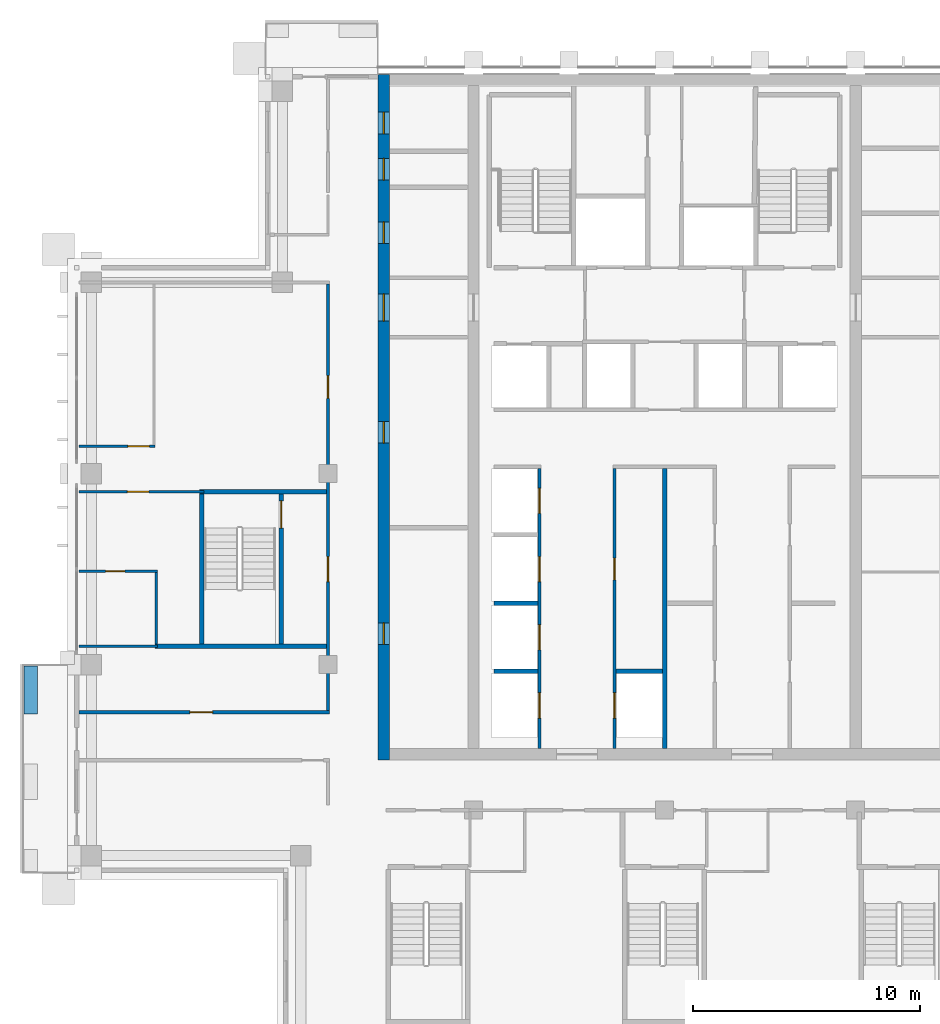
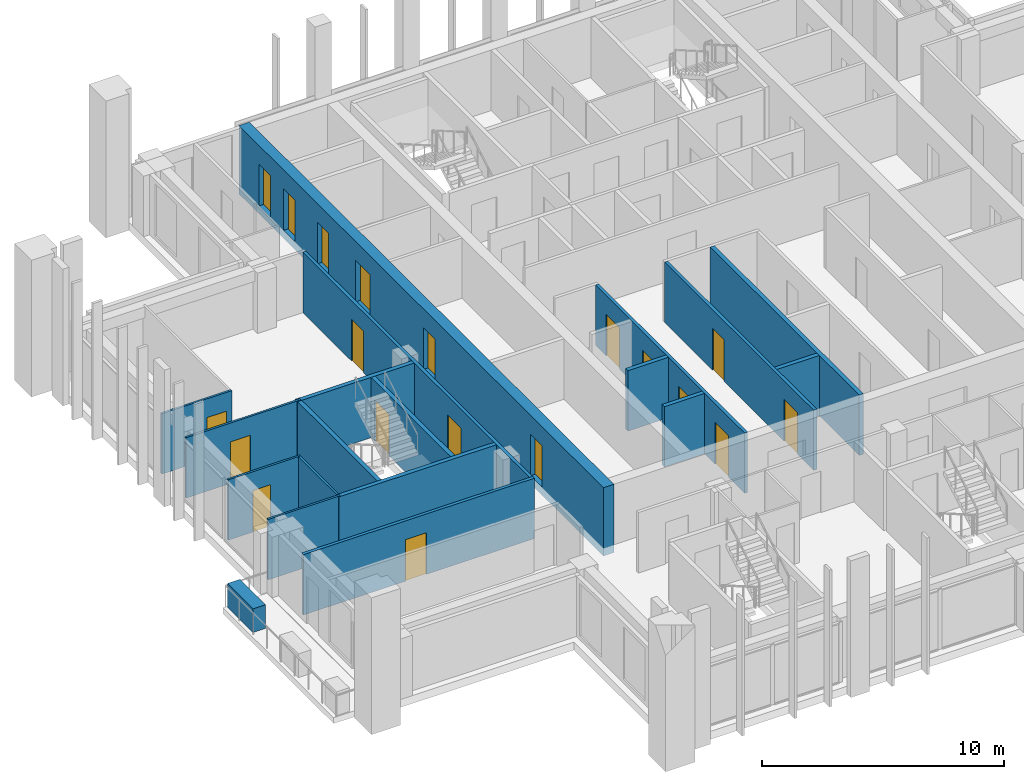
# One storey, part 9 of 18: 19 doors, 19 walls, 19 openings.
"""IFC4 building model written with IfcOpenShell, lengths in metres."""

import ifcopenshell
import ifcopenshell.guid

model = None  # the IFC model being written
_history = None  # IfcOwnerHistory: only IFC2X3 demands one
_inside = {}  # id of a spatial element -> (the spatial element, [elements in it])
_under = {}  # id of a project, library or spatial element -> (it, [spatial elements below it])
_declared = {}  # id of a project -> (the project, [libraries it declares])
_typed = {}  # id of a type object -> (the type object, [elements of that type])
_made_of = {}  # id of a material, layer set ... -> (it, [elements and type objects made of it])


def new_model(schema):
    """Start an empty IFC model of exactly this schema.

    Asked for "IFC4X3", IfcOpenShell would pick the latest addendum, in which some entities
    have other attributes; the version numbers below select the first issue.
    IFC2X3 requires an IfcOwnerHistory on every rooted entity: one is made here for all.
    """
    global model, _history
    if schema == "IFC4X3":
        model = ifcopenshell.file(schema_version=(4, 3, 0, 0))
    else:
        model = ifcopenshell.file(schema=schema)
    _inside.clear()
    _under.clear()
    _declared.clear()
    _typed.clear()
    _made_of.clear()
    _history = None
    if model.schema == "IFC2X3":
        org = make("IfcOrganization", Name="unknown")
        user = make(
            "IfcPersonAndOrganization",
            ThePerson=make("IfcPerson", FamilyName="unknown"),
            TheOrganization=org,
        )
        app = make(
            "IfcApplication",
            ApplicationDeveloper=org,
            Version="unknown",
            ApplicationFullName="unknown",
            ApplicationIdentifier="unknown",
        )
        _history = make(
            "IfcOwnerHistory",
            OwningUser=user,
            OwningApplication=app,
            ChangeAction="ADDED",
            CreationDate=0,
        )
    return model


def make(cls, **values):
    """One entity of the class cls with the attributes given. An attribute that is None is left unset."""
    return model.create_entity(
        cls, **{name: value for name, value in values.items() if value is not None}
    )


def rooted(cls, **values):
    """An entity with a GlobalId (a new one), such as an element, a storey or a relation."""
    return make(cls, GlobalId=ifcopenshell.guid.new(), OwnerHistory=_history, **values)


def si_unit(unit_type, name, prefix=None):
    """IfcSIUnit, for example si_unit("LENGTHUNIT", "METRE", prefix="MILLI")."""
    return make("IfcSIUnit", UnitType=unit_type, Prefix=prefix, Name=name)


def assignment(units):
    """IfcUnitAssignment: the units of a project."""
    return None if units is None else make("IfcUnitAssignment", Units=units)


def point(xyz):
    """IfcCartesianPoint."""
    return None if xyz is None else make("IfcCartesianPoint", Coordinates=xyz)


def direction(xyz):
    """IfcDirection."""
    return None if xyz is None else make("IfcDirection", DirectionRatios=xyz)


def frame(location, z_axis=None, x_axis=None):
    """IfcAxis2Placement3D, a coordinate frame: its origin and axes. An axis left out is left unset."""
    return make(
        "IfcAxis2Placement3D",
        Location=point(location),
        Axis=direction(z_axis),
        RefDirection=direction(x_axis),
    )


def frame_2d(location, x_axis=None):
    """IfcAxis2Placement2D, a coordinate frame in the plane: its origin and x axis."""
    return make(
        "IfcAxis2Placement2D", Location=point(location), RefDirection=direction(x_axis)
    )


def origin():
    """The frame at (0, 0, 0) with its axes left unset."""
    return frame((0.0, 0.0, 0.0))


def place(relative_to, where):
    """IfcLocalPlacement: puts the frame where relative to a parent placement (None: the world)."""
    return make(
        "IfcLocalPlacement", PlacementRelTo=relative_to, RelativePlacement=where
    )


def context(
    kind, dimensions, precision=None, world=None, true_north=None, identifier=None
):
    """IfcGeometricRepresentationContext, for example the 3D "Model" context."""
    return make(
        "IfcGeometricRepresentationContext",
        ContextIdentifier=identifier,
        ContextType=kind,
        CoordinateSpaceDimension=dimensions,
        Precision=precision,
        WorldCoordinateSystem=world,
        TrueNorth=true_north,
    )


def subcontext(parent, identifier, kind, view, scale=None):
    """IfcGeometricRepresentationSubContext, for example "Body" below "Model"."""
    return make(
        "IfcGeometricRepresentationSubContext",
        ContextIdentifier=identifier,
        ContextType=kind,
        ParentContext=parent,
        TargetScale=scale,
        TargetView=view,
    )


def project(units=None, contexts=None):
    """IfcProject with its units and contexts."""
    return rooted(
        "IfcProject",
        Name="project",
        RepresentationContexts=contexts,
        UnitsInContext=assignment(units),
    )


def spatial(cls, under=None, at=None, **own):
    """A site, building, storey or space (cls), placed at a placement, below another one or the project."""
    s = rooted(cls, ObjectPlacement=at, **own)
    if under is not None:
        _under.setdefault(under.id(), (under, []))[1].append(s)
    return s


def profile(cls, at=None, kind="AREA", **sizes):
    """A parametric profile (cls). Its sizes go by their IFC names, for example OverallWidth=200.0."""
    return make(cls, ProfileType=kind, Position=at, **sizes)


def rectangle(**sizes):
    """IfcRectangleProfileDef."""
    return profile("IfcRectangleProfileDef", **sizes)


def extrude(swept, where, along, depth):
    """IfcExtrudedAreaSolid: the profile swept, set in the frame where, extruded along a direction by depth."""
    return make(
        "IfcExtrudedAreaSolid",
        SweptArea=swept,
        Position=where,
        ExtrudedDirection=direction(along),
        Depth=depth,
    )


def shape(context_of_items, identifier, shape_type, items):
    """IfcShapeRepresentation: the items that make up one representation, for example the "Body"."""
    return make(
        "IfcShapeRepresentation",
        ContextOfItems=context_of_items,
        RepresentationIdentifier=identifier,
        RepresentationType=shape_type,
        Items=items,
    )


def material(Name=None, Category=None):
    """IfcMaterial."""
    return make("IfcMaterial", Name=Name, Category=Category)


def layer(
    of_material, thickness, ventilated=None, Name=None, Category=None, Priority=None
):
    """IfcMaterialLayer: one layer of a wall or slab, of a material (None: an air gap)."""
    return make(
        "IfcMaterialLayer",
        Material=of_material,
        LayerThickness=thickness,
        IsVentilated=ventilated,
        Name=Name,
        Category=Category,
        Priority=Priority,
    )


def layer_set(layers, Name=None):
    """IfcMaterialLayerSet."""
    return make("IfcMaterialLayerSet", MaterialLayers=layers, LayerSetName=Name)


def made_of(thing, what):
    """Note that an element or type object is made of a material, layer set ...; save() writes the relation."""
    if what is not None:
        _made_of.setdefault(what.id(), (what, []))[1].append(thing)
    return thing


def type_object(cls, material=None, **own):
    """A type object (cls), such as IfcWallType, which elements share."""
    return made_of(rooted(cls, **own), material)


def element(
    cls,
    number,
    at=None,
    inside=None,
    cuts=None,
    type_object=None,
    material=None,
    context=None,
    identifier="Body",
    shape_type=None,
    held_by="IfcProductDefinitionShape",
    body=None,
    shapes=None,
    **own,
):
    """One element of the class cls, such as IfcWall. Its Tag is "e" and its number.

    at: its placement. inside: the storey or other place that contains it. cuts: it is an
    opening in that element (IfcRelVoidsElement). A single representation is given by context,
    identifier, shape_type and body (its items); several are given by shapes. held_by: the class
    of the entity that holds the representations. save() writes the other relations.
    """
    e = rooted(cls, Tag="e%d" % number, ObjectPlacement=at, **own)
    if body is not None:
        shapes = [shape(context, identifier, shape_type, body)]
    if shapes is not None:
        e.Representation = make(held_by, Representations=shapes)
    if inside is not None:
        _inside.setdefault(inside.id(), (inside, []))[1].append(e)
    if cuts is not None:
        rooted(
            "IfcRelVoidsElement", RelatingBuildingElement=cuts, RelatedOpeningElement=e
        )
    if type_object is not None:
        _typed.setdefault(type_object.id(), (type_object, []))[1].append(e)
    return made_of(e, material)


def fill(opening, filler):
    """IfcRelFillsElement: the door or window that sits in an opening."""
    return rooted(
        "IfcRelFillsElement",
        RelatingOpeningElement=opening,
        RelatedBuildingElement=filler,
    )


def aggregate(whole, parts):
    """IfcRelAggregates: a whole, such as a stair, and the parts it consists of."""
    return rooted("IfcRelAggregates", RelatingObject=whole, RelatedObjects=parts)


def save(model, path):
    """Write the relations noted so far, then the file.

    IfcRelAggregates (storeys below a building ...), IfcRelContainedInSpatialStructure (elements
    in a storey), IfcRelDefinesByType, IfcRelAssociatesMaterial and IfcRelDeclares: one each for
    every whole, place, type object, material and project.
    """
    for whole, parts in _under.values():
        aggregate(whole, parts)
    for where, things in _inside.values():
        rooted(
            "IfcRelContainedInSpatialStructure",
            RelatedElements=things,
            RelatingStructure=where,
        )
    for kind, things in _typed.values():
        rooted("IfcRelDefinesByType", RelatedObjects=things, RelatingType=kind)
    for what, things in _made_of.values():
        rooted("IfcRelAssociatesMaterial", RelatedObjects=things, RelatingMaterial=what)
    for by, libraries in _declared.values():
        rooted("IfcRelDeclares", RelatingContext=by, RelatedDefinitions=libraries)
    model.write(path)


model = new_model("IFC4")

# Units and contexts
model_context = context("Model", 3, precision=1e-05, world=origin(), true_north=direction((0.0, 1.0)))
body_context = subcontext(model_context, "Body", "Model", "MODEL_VIEW")
ifc_project = project(units=[si_unit("LENGTHUNIT", "METRE"), si_unit("AREAUNIT", "SQUARE_METRE"), si_unit("VOLUMEUNIT", "CUBIC_METRE"), si_unit("PLANEANGLEUNIT", "RADIAN"), si_unit("MASSUNIT", "GRAM", prefix="KILO")], contexts=[model_context])

# Site, building, storey
site_placement = place(None, origin())
site = spatial("IfcSite", under=ifc_project, at=site_placement, CompositionType="ELEMENT")
building_placement = place(site_placement, origin())
building = spatial("IfcBuilding", under=site, at=building_placement, Name="Vermilion Ogive Tower", CompositionType="ELEMENT")
storey_placement = place(building_placement, frame((0.0, 0.0, 254.5)))
storey = spatial("IfcBuildingStorey", under=building, at=storey_placement, Name="L67", CompositionType="ELEMENT", Elevation=254.5)

# Wall, openings, doors
ifc_material_1 = material(Name="Concrete B60", Category="concrete")
ifc_layer_1 = layer(ifc_material_1, 0.5)
ifc_layer_set_1 = layer_set([ifc_layer_1], Name="Core wall 500 B60")
wall_type_1 = type_object("IfcWallType", Name="Core wall 500 B60", PredefinedType="SHEAR", material=ifc_layer_set_1)
wall_1_placement = place(storey_placement, frame((-12.35009765625, -8.39990234375, -0.39990234375), z_axis=(0.0, 0.0, 1.0), x_axis=(0.0, 1.0, 0.0)))
wall_1 = element("IfcWall", 1, at=wall_1_placement, inside=storey, type_object=wall_type_1, Name="L67-CORE-W", PredefinedType="SHEAR", context=body_context, shape_type="SweptSolid", body=[
    extrude(rectangle(XDim=30.14990234375, YDim=0.5, at=frame_2d((15.074951171875, 0.0))), origin(), (0.0, 0.0, 1.0), 3.449951171875),
])
opening_1_placement = place(wall_1_placement, frame((5.0830078125, 0.0, 0.39990234375)))
opening_1 = element("IfcOpeningElement", 2, at=opening_1_placement, cuts=wall_1, Name="Opening DAD122", PredefinedType="OPENING", context=body_context, shape_type="SweptSolid", body=[
    extrude(rectangle(XDim=0.949951171875, YDim=2.10009765625, at=frame_2d((0.47509765625, 1.050048828125))), frame((0.0, 0.260009765625, 0.0), z_axis=(0.0, -1.0, 0.0), x_axis=(1.0, 0.0, 0.0)), (0.0, 0.0, 1.0), 0.52001953125),
])
opening_2_placement = place(wall_1_placement, frame((13.932861328125, 0.0, 0.39990234375)))
opening_2 = element("IfcOpeningElement", 3, at=opening_2_placement, cuts=wall_1, Name="Opening DAD123", PredefinedType="OPENING", context=body_context, shape_type="SweptSolid", body=[
    extrude(rectangle(XDim=0.949951171875, YDim=2.10009765625, at=frame_2d((0.47509765625, 1.050048828125))), frame((0.0, 0.260009765625, 0.0), z_axis=(0.0, -1.0, 0.0), x_axis=(1.0, 0.0, 0.0)), (0.0, 0.0, 1.0), 0.52001953125),
])
opening_3_placement = place(wall_1_placement, frame((22.718994140625, 0.0, 0.39990234375)))
opening_3 = element("IfcOpeningElement", 4, at=opening_3_placement, cuts=wall_1, Name="Opening DAD124", PredefinedType="OPENING", context=body_context, shape_type="SweptSolid", body=[
    extrude(rectangle(XDim=0.949951171875, YDim=2.10009765625, at=frame_2d((0.47509765625, 1.050048828125))), frame((0.0, 0.260009765625, 0.0), z_axis=(0.0, -1.0, 0.0), x_axis=(1.0, 0.0, 0.0)), (0.0, 0.0, 1.0), 0.52001953125),
])
opening_4_placement = place(wall_1_placement, frame((25.505615234375, 0.0, 0.39990234375)))
opening_4 = element("IfcOpeningElement", 5, at=opening_4_placement, cuts=wall_1, Name="Opening DAD125", PredefinedType="OPENING", context=body_context, shape_type="SweptSolid", body=[
    extrude(rectangle(XDim=0.949951171875, YDim=2.10009765625, at=frame_2d((0.47509765625, 1.050048828125))), frame((0.0, 0.260009765625, 0.0), z_axis=(0.0, -1.0, 0.0), x_axis=(1.0, 0.0, 0.0)), (0.0, 0.0, 1.0), 0.52001953125),
])
opening_5_placement = place(wall_1_placement, frame((27.53662109375, 0.0, 0.39990234375)))
opening_5 = element("IfcOpeningElement", 6, at=opening_5_placement, cuts=wall_1, Name="Opening DAD126", PredefinedType="OPENING", context=body_context, shape_type="SweptSolid", body=[
    extrude(rectangle(XDim=0.949951171875, YDim=2.10009765625, at=frame_2d((0.47509765625, 1.050048828125))), frame((0.0, 0.260009765625, 0.0), z_axis=(0.0, -1.0, 0.0), x_axis=(1.0, 0.0, 0.0)), (0.0, 0.0, 1.0), 0.52001953125),
])
opening_6_placement = place(wall_1_placement, frame((19.300048828125, 0.0, 0.39990234375)))
opening_6 = element("IfcOpeningElement", 7, at=opening_6_placement, cuts=wall_1, Name="Opening DAM028", PredefinedType="OPENING", context=body_context, shape_type="SweptSolid", body=[
    extrude(rectangle(XDim=1.199951171875, YDim=2.10009765625, at=frame_2d((0.60009765625, 1.050048828125))), frame((0.0, 0.260009765625, 0.0), z_axis=(0.0, -1.0, 0.0), x_axis=(1.0, 0.0, 0.0)), (0.0, 0.0, 1.0), 0.52001953125),
])
ifc_material_2 = material(Name="Timber door leaf", Category="wood")
door_type_1 = type_object("IfcDoorType", Name="Link door 1200 x 2100 FD60S", OperationType="SINGLE_SWING_LEFT", PredefinedType="DOOR", material=ifc_material_2)
door_1_placement = place(opening_6_placement, origin())
door_1 = element("IfcDoor", 8, at=door_1_placement, inside=storey, type_object=door_type_1, Name="L67-CKW-XL", OperationType="SINGLE_SWING_LEFT", OverallHeight=2.10009765625, OverallWidth=1.199951171875, PredefinedType="DOOR", context=body_context, shape_type="SweptSolid", body=[
    extrude(rectangle(XDim=1.199951171875, YDim=2.10009765625, at=frame_2d((0.60009765625, 1.050048828125))), frame((0.0, 0.02490234375, 0.0), z_axis=(0.0, -1.0, 0.0), x_axis=(1.0, 0.0, 0.0)), (0.0, 0.0, 1.0), 0.050048828125),
])
fill(opening_6, door_1)
ifc_material_3 = material(Name="Timber door leaf", Category="wood")
door_type_2 = type_object("IfcDoorType", Name="Service door 950 x 2100 FD60", OperationType="SINGLE_SWING_LEFT", PredefinedType="DOOR", material=ifc_material_3)
door_2_placement = place(opening_1_placement, origin())
door_2 = element("IfcDoor", 9, at=door_2_placement, inside=storey, type_object=door_type_2, Name="L67-CKW-XR0", OperationType="SINGLE_SWING_LEFT", OverallHeight=2.10009765625, OverallWidth=0.949951171875, PredefinedType="DOOR", context=body_context, shape_type="SweptSolid", body=[
    extrude(rectangle(XDim=0.949951171875, YDim=2.10009765625, at=frame_2d((0.47509765625, 1.050048828125))), frame((0.0, 0.02490234375, 0.0), z_axis=(0.0, -1.0, 0.0), x_axis=(1.0, 0.0, 0.0)), (0.0, 0.0, 1.0), 0.050048828125),
])
fill(opening_1, door_2)
door_3_placement = place(opening_2_placement, origin())
door_3 = element("IfcDoor", 10, at=door_3_placement, inside=storey, type_object=door_type_2, Name="L67-CKW-XR1", OperationType="SINGLE_SWING_LEFT", OverallHeight=2.10009765625, OverallWidth=0.949951171875, PredefinedType="DOOR", context=body_context, shape_type="SweptSolid", body=[
    extrude(rectangle(XDim=0.949951171875, YDim=2.10009765625, at=frame_2d((0.47509765625, 1.050048828125))), frame((0.0, 0.02490234375, 0.0), z_axis=(0.0, -1.0, 0.0), x_axis=(1.0, 0.0, 0.0)), (0.0, 0.0, 1.0), 0.050048828125),
])
fill(opening_2, door_3)
door_4_placement = place(opening_3_placement, origin())
door_4 = element("IfcDoor", 11, at=door_4_placement, inside=storey, type_object=door_type_2, Name="L67-CKW-XR2", OperationType="SINGLE_SWING_LEFT", OverallHeight=2.10009765625, OverallWidth=0.949951171875, PredefinedType="DOOR", context=body_context, shape_type="SweptSolid", body=[
    extrude(rectangle(XDim=0.949951171875, YDim=2.10009765625, at=frame_2d((0.47509765625, 1.050048828125))), frame((0.0, 0.02490234375, 0.0), z_axis=(0.0, -1.0, 0.0), x_axis=(1.0, 0.0, 0.0)), (0.0, 0.0, 1.0), 0.050048828125),
])
fill(opening_3, door_4)
door_5_placement = place(opening_4_placement, origin())
door_5 = element("IfcDoor", 12, at=door_5_placement, inside=storey, type_object=door_type_2, Name="L67-CKW-XR3", OperationType="SINGLE_SWING_LEFT", OverallHeight=2.10009765625, OverallWidth=0.949951171875, PredefinedType="DOOR", context=body_context, shape_type="SweptSolid", body=[
    extrude(rectangle(XDim=0.949951171875, YDim=2.10009765625, at=frame_2d((0.47509765625, 1.050048828125))), frame((0.0, 0.02490234375, 0.0), z_axis=(0.0, -1.0, 0.0), x_axis=(1.0, 0.0, 0.0)), (0.0, 0.0, 1.0), 0.050048828125),
])
fill(opening_4, door_5)
door_6_placement = place(opening_5_placement, origin())
door_6 = element("IfcDoor", 13, at=door_6_placement, inside=storey, type_object=door_type_2, Name="L67-CKW-XR4", OperationType="SINGLE_SWING_LEFT", OverallHeight=2.10009765625, OverallWidth=0.949951171875, PredefinedType="DOOR", context=body_context, shape_type="SweptSolid", body=[
    extrude(rectangle(XDim=0.949951171875, YDim=2.10009765625, at=frame_2d((0.47509765625, 1.050048828125))), frame((0.0, 0.02490234375, 0.0), z_axis=(0.0, -1.0, 0.0), x_axis=(1.0, 0.0, 0.0)), (0.0, 0.0, 1.0), 0.050048828125),
])
fill(opening_5, door_6)

# Wall
ifc_material_4 = material(Name="Gypsum board partition on steel studs", Category="steel")
ifc_layer_2 = layer(ifc_material_4, 0.10009765625)
ifc_layer_set_2 = layer_set([ifc_layer_2], Name="Partition 100 bath")
wall_type_2 = type_object("IfcWallType", Name="Partition 100 bath", PredefinedType="PARTITIONING", material=ifc_layer_set_2)
wall_2_placement = place(storey_placement, frame((-25.75, -3.39990234375, 0.0), z_axis=(0.0, 0.0, 1.0), x_axis=(1.0, 0.0, 0.0)))
element("IfcWall", 14, at=wall_2_placement, inside=storey, type_object=wall_type_2, Name="L67-W-W018", PredefinedType="PARTITIONING", context=body_context, shape_type="SweptSolid", body=[
    extrude(rectangle(XDim=3.449951171875, YDim=0.10009765625, at=frame_2d((1.72509765625, 0.0))), origin(), (0.0, 0.0, 1.0), 3.050048828125),
])

# Wall, opening, door
wall_3_placement = place(storey_placement, frame((-25.75, -0.10009765625, 0.0), z_axis=(0.0, 0.0, 1.0), x_axis=(1.0, 0.0, 0.0)))
wall_3 = element("IfcWall", 15, at=wall_3_placement, inside=storey, type_object=wall_type_2, Name="L67-W-W023", PredefinedType="PARTITIONING", context=body_context, shape_type="SweptSolid", body=[
    extrude(rectangle(XDim=3.449951171875, YDim=0.10009765625, at=frame_2d((1.72509765625, 0.0))), origin(), (0.0, 0.0, 1.0), 3.050048828125),
])
opening_7_placement = place(wall_3_placement, frame((1.175048828125, 0.0, 0.0)))
opening_7 = element("IfcOpeningElement", 16, at=opening_7_placement, cuts=wall_3, Name="Opening D5G5006", PredefinedType="OPENING", context=body_context, shape_type="SweptSolid", body=[
    extrude(rectangle(XDim=0.85009765625, YDim=2.10009765625, at=frame_2d((0.425048828125, 1.050048828125))), frame((0.0, 0.06005859375, 0.0), z_axis=(0.0, -1.0, 0.0), x_axis=(1.0, 0.0, 0.0)), (0.0, 0.0, 1.0), 0.1201171875),
])
ifc_material_5 = material(Name="Timber door leaf", Category="wood")
door_type_3 = type_object("IfcDoorType", Name="Bath door 850 x 2100 FD30", OperationType="SINGLE_SWING_LEFT", PredefinedType="DOOR", material=ifc_material_5)
door_7_placement = place(opening_7_placement, origin())
door_7 = element("IfcDoor", 17, at=door_7_placement, inside=storey, type_object=door_type_3, Name="L67-D-D006", OperationType="SINGLE_SWING_RIGHT", OverallHeight=2.10009765625, OverallWidth=0.85009765625, PredefinedType="DOOR", context=body_context, shape_type="SweptSolid", body=[
    extrude(rectangle(XDim=0.85009765625, YDim=2.10009765625, at=frame_2d((0.425048828125, 1.050048828125))), frame((0.0, 0.02490234375, 0.0), z_axis=(0.0, -1.0, 0.0), x_axis=(1.0, 0.0, 0.0)), (0.0, 0.0, 1.0), 0.050048828125),
])
fill(opening_7, door_7)

# Wall
wall_4_placement = place(storey_placement, frame((-22.35009765625, -3.300048828125, 0.0), z_axis=(0.0, 0.0, 1.0), x_axis=(0.0, 1.0, 0.0)))
element("IfcWall", 18, at=wall_4_placement, inside=storey, type_object=wall_type_2, Name="L67-W-W039", PredefinedType="PARTITIONING", context=body_context, shape_type="SweptSolid", body=[
    extrude(rectangle(XDim=3.150146484375, YDim=0.10009765625, at=frame_2d((1.5751953125, 0.0))), origin(), (0.0, 0.0, 1.0), 3.050048828125),
])

# Wall, opening, door
ifc_material_6 = material(Name="Gypsum board partition on steel studs", Category="steel")
ifc_layer_3 = layer(ifc_material_6, 0.10009765625)
ifc_layer_set_3 = layer_set([ifc_layer_3], Name="Partition 100 inner")
wall_type_3 = type_object("IfcWallType", Name="Partition 100 inner", PredefinedType="PARTITIONING", material=ifc_layer_set_3)
wall_5_placement = place(storey_placement, frame((-25.75, 3.39990234375, 0.0), z_axis=(0.0, 0.0, 1.0), x_axis=(1.0, 0.0, 0.0)))
wall_5 = element("IfcWall", 19, at=wall_5_placement, inside=storey, type_object=wall_type_3, Name="L67-W-W024", PredefinedType="PARTITIONING", context=body_context, shape_type="SweptSolid", body=[
    extrude(rectangle(XDim=5.5, YDim=0.10009765625, at=frame_2d((2.75, 0.0))), origin(), (0.0, 0.0, 1.0), 3.050048828125),
])
opening_8_placement = place(wall_5_placement, frame((2.125, 0.0, 0.0)))
opening_8 = element("IfcOpeningElement", 20, at=opening_8_placement, cuts=wall_5, Name="Opening D5G5005", PredefinedType="OPENING", context=body_context, shape_type="SweptSolid", body=[
    extrude(rectangle(XDim=0.949951171875, YDim=2.10009765625, at=frame_2d((0.47509765625, 1.050048828125))), frame((0.0, 0.06005859375, 0.0), z_axis=(0.0, -1.0, 0.0), x_axis=(1.0, 0.0, 0.0)), (0.0, 0.0, 1.0), 0.1201171875),
])
ifc_material_7 = material(Name="Timber door leaf", Category="wood")
door_type_4 = type_object("IfcDoorType", Name="Inner door 950 x 2100 FD30", OperationType="SINGLE_SWING_LEFT", PredefinedType="DOOR", material=ifc_material_7)
door_8_placement = place(opening_8_placement, origin())
door_8 = element("IfcDoor", 21, at=door_8_placement, inside=storey, type_object=door_type_4, Name="L67-D-D005", OperationType="SINGLE_SWING_LEFT", OverallHeight=2.10009765625, OverallWidth=0.949951171875, PredefinedType="DOOR", context=body_context, shape_type="SweptSolid", body=[
    extrude(rectangle(XDim=0.949951171875, YDim=2.10009765625, at=frame_2d((0.47509765625, 1.050048828125))), frame((0.0, 0.02490234375, 0.0), z_axis=(0.0, -1.0, 0.0), x_axis=(1.0, 0.0, 0.0)), (0.0, 0.0, 1.0), 0.050048828125),
])
fill(opening_8, door_8)

wall_6_placement = place(storey_placement, frame((-25.75, 5.39990234375, 0.0), z_axis=(0.0, 0.0, 1.0), x_axis=(1.0, 0.0, 0.0)))
wall_6 = element("IfcWall", 22, at=wall_6_placement, inside=storey, type_object=wall_type_3, Name="L67-W-W028", PredefinedType="PARTITIONING", context=body_context, shape_type="SweptSolid", body=[
    extrude(rectangle(XDim=3.35009765625, YDim=0.10009765625, at=frame_2d((1.675048828125, 0.0))), origin(), (0.0, 0.0, 1.0), 3.050048828125),
])
opening_9_placement = place(wall_6_placement, frame((2.14990234375, 0.0, 0.0)))
opening_9 = element("IfcOpeningElement", 23, at=opening_9_placement, cuts=wall_6, Name="Opening D5G5003", PredefinedType="OPENING", context=body_context, shape_type="SweptSolid", body=[
    extrude(rectangle(XDim=0.949951171875, YDim=2.10009765625, at=frame_2d((0.47509765625, 1.050048828125))), frame((0.0, 0.06005859375, 0.0), z_axis=(0.0, -1.0, 0.0), x_axis=(1.0, 0.0, 0.0)), (0.0, 0.0, 1.0), 0.1201171875),
])
door_9_placement = place(opening_9_placement, origin())
door_9 = element("IfcDoor", 24, at=door_9_placement, inside=storey, type_object=door_type_4, Name="L67-D-D003", OperationType="SINGLE_SWING_RIGHT", OverallHeight=2.10009765625, OverallWidth=0.949951171875, PredefinedType="DOOR", context=body_context, shape_type="SweptSolid", body=[
    extrude(rectangle(XDim=0.949951171875, YDim=2.10009765625, at=frame_2d((0.47509765625, 1.050048828125))), frame((0.0, 0.02490234375, 0.0), z_axis=(0.0, -1.0, 0.0), x_axis=(1.0, 0.0, 0.0)), (0.0, 0.0, 1.0), 0.050048828125),
])
fill(opening_9, door_9)

ifc_material_8 = material(Name="Gypsum board partition on steel studs", Category="steel")
ifc_layer_4 = layer(ifc_material_8, 0.14990234375)
ifc_layer_set_4 = layer_set([ifc_layer_4], Name="Partition 150 corridor")
wall_type_4 = type_object("IfcWallType", Name="Partition 150 corridor", PredefinedType="PARTITIONING", material=ifc_layer_set_4)
wall_7_placement = place(storey_placement, frame((-25.75, -6.300048828125, 0.0), z_axis=(0.0, 0.0, 1.0), x_axis=(1.0, 0.0, 0.0)))
wall_7 = element("IfcWall", 25, at=wall_7_placement, inside=storey, type_object=wall_type_4, Name="L67-W-W016", PredefinedType="PARTITIONING", context=body_context, shape_type="SweptSolid", body=[
    extrude(rectangle(XDim=11.02490234375, YDim=0.14990234375, at=frame_2d((5.512451171875, 0.0))), origin(), (0.0, 0.0, 1.0), 3.050048828125),
])
opening_10_placement = place(wall_7_placement, frame((4.875, 0.0, 0.0)))
opening_10 = element("IfcOpeningElement", 26, at=opening_10_placement, cuts=wall_7, Name="Opening D5G5032", PredefinedType="OPENING", context=body_context, shape_type="SweptSolid", body=[
    extrude(rectangle(XDim=1.0, YDim=2.10009765625, at=frame_2d((0.5, 1.050048828125))), frame((0.0, 0.0849609375, 0.0), z_axis=(0.0, -1.0, 0.0), x_axis=(1.0, 0.0, 0.0)), (0.0, 0.0, 1.0), 0.169921875),
])
ifc_material_9 = material(Name="Timber door leaf", Category="wood")
door_type_5 = type_object("IfcDoorType", Name="Unit door 1000 x 2100 FD30S", OperationType="SINGLE_SWING_LEFT", PredefinedType="DOOR", material=ifc_material_9)
door_10_placement = place(opening_10_placement, origin())
door_10 = element("IfcDoor", 27, at=door_10_placement, inside=storey, type_object=door_type_5, Name="L67-D-D032", OperationType="SINGLE_SWING_RIGHT", OverallHeight=2.10009765625, OverallWidth=1.0, PredefinedType="DOOR", context=body_context, shape_type="SweptSolid", body=[
    extrude(rectangle(XDim=1.0, YDim=2.10009765625, at=frame_2d((0.5, 1.050048828125))), frame((0.0, 0.02490234375, 0.0), z_axis=(0.0, -1.0, 0.0), x_axis=(1.0, 0.0, 0.0)), (0.0, 0.0, 1.0), 0.050048828125),
])
fill(opening_10, door_10)

# Wall, openings, doors
wall_8_placement = place(storey_placement, frame((-14.800048828125, -6.22509765625, 0.0), z_axis=(0.0, 0.0, 1.0), x_axis=(0.0, 1.0, 0.0)))
wall_8 = element("IfcWall", 28, at=wall_8_placement, inside=storey, type_object=wall_type_4, Name="L67-W-W045", PredefinedType="PARTITIONING", context=body_context, shape_type="SweptSolid", body=[
    extrude(rectangle(XDim=18.75, YDim=0.14990234375, at=frame_2d((9.375, 0.0))), origin(), (0.0, 0.0, 1.0), 3.050048828125),
])
opening_11_placement = place(wall_8_placement, frame((13.72509765625, 0.0, 0.0)))
opening_11 = element("IfcOpeningElement", 29, at=opening_11_placement, cuts=wall_8, Name="Opening D5G5004", PredefinedType="OPENING", context=body_context, shape_type="SweptSolid", body=[
    extrude(rectangle(XDim=1.0, YDim=2.10009765625, at=frame_2d((0.5, 1.050048828125))), frame((0.0, 0.0849609375, 0.0), z_axis=(0.0, -1.0, 0.0), x_axis=(1.0, 0.0, 0.0)), (0.0, 0.0, 1.0), 0.169921875),
])
opening_12_placement = place(wall_8_placement, frame((5.675048828125, 0.0, 0.0)))
opening_12 = element("IfcOpeningElement", 30, at=opening_12_placement, cuts=wall_8, Name="Opening D5G5029", PredefinedType="OPENING", context=body_context, shape_type="SweptSolid", body=[
    extrude(rectangle(XDim=1.10009765625, YDim=2.10009765625, at=frame_2d((0.550048828125, 1.050048828125))), frame((0.0, 0.0849609375, 0.0), z_axis=(0.0, -1.0, 0.0), x_axis=(1.0, 0.0, 0.0)), (0.0, 0.0, 1.0), 0.169921875),
])
ifc_material_10 = material(Name="Timber door leaf", Category="wood")
door_type_6 = type_object("IfcDoorType", Name="Stair door 1100 x 2100 FD60S", OperationType="SINGLE_SWING_LEFT", PredefinedType="DOOR", material=ifc_material_10)
door_11_placement = place(opening_12_placement, origin())
door_11 = element("IfcDoor", 31, at=door_11_placement, inside=storey, type_object=door_type_6, Name="L67-D-D029", OperationType="SINGLE_SWING_RIGHT", OverallHeight=2.10009765625, OverallWidth=1.10009765625, PredefinedType="DOOR", context=body_context, shape_type="SweptSolid", body=[
    extrude(rectangle(XDim=1.10009765625, YDim=2.10009765625, at=frame_2d((0.550048828125, 1.050048828125))), frame((0.0, 0.02490234375, 0.0), z_axis=(0.0, -1.0, 0.0), x_axis=(1.0, 0.0, 0.0)), (0.0, 0.0, 1.0), 0.050048828125),
])
fill(opening_12, door_11)
door_12_placement = place(opening_11_placement, origin())
door_12 = element("IfcDoor", 32, at=door_12_placement, inside=storey, type_object=door_type_5, Name="L67-D-D004", OperationType="SINGLE_SWING_LEFT", OverallHeight=2.10009765625, OverallWidth=1.0, PredefinedType="DOOR", context=body_context, shape_type="SweptSolid", body=[
    extrude(rectangle(XDim=1.0, YDim=2.10009765625, at=frame_2d((0.5, 1.050048828125))), frame((0.0, 0.02490234375, 0.0), z_axis=(0.0, -1.0, 0.0), x_axis=(1.0, 0.0, 0.0)), (0.0, 0.0, 1.0), 0.050048828125),
])
fill(opening_11, door_12)

wall_9_placement = place(storey_placement, frame((-5.5, -7.89892578125, 0.0), z_axis=(0.0, 0.0, 1.0), x_axis=(0.0, 1.0, 0.0)))
wall_9 = element("IfcWall", 33, at=wall_9_placement, inside=storey, type_object=wall_type_4, Name="L67-CK-W-W019", PredefinedType="PARTITIONING", context=body_context, shape_type="SweptSolid", body=[
    extrude(rectangle(XDim=12.323974609375, YDim=0.14990234375, at=frame_2d((6.162109375, 0.0))), origin(), (0.0, 0.0, 1.0), 3.050048828125),
])
opening_13_placement = place(wall_9_placement, frame((1.348876953125, 0.0, 0.0)))
opening_13 = element("IfcOpeningElement", 34, at=opening_13_placement, cuts=wall_9, Name="Opening DAA647", PredefinedType="OPENING", context=body_context, shape_type="SweptSolid", body=[
    extrude(rectangle(XDim=1.10009765625, YDim=2.10009765625, at=frame_2d((0.550048828125, 1.050048828125))), frame((0.0, 0.0849609375, 0.0), z_axis=(0.0, -1.0, 0.0), x_axis=(1.0, 0.0, 0.0)), (0.0, 0.0, 1.0), 0.169921875),
])
opening_14_placement = place(wall_9_placement, frame((4.348876953125, 0.0, 0.0)))
opening_14 = element("IfcOpeningElement", 35, at=opening_14_placement, cuts=wall_9, Name="Opening DAA648", PredefinedType="OPENING", context=body_context, shape_type="SweptSolid", body=[
    extrude(rectangle(XDim=1.10009765625, YDim=2.10009765625, at=frame_2d((0.550048828125, 1.050048828125))), frame((0.0, 0.0849609375, 0.0), z_axis=(0.0, -1.0, 0.0), x_axis=(1.0, 0.0, 0.0)), (0.0, 0.0, 1.0), 0.169921875),
])
opening_15_placement = place(wall_9_placement, frame((7.348876953125, 0.0, 0.0)))
opening_15 = element("IfcOpeningElement", 36, at=opening_15_placement, cuts=wall_9, Name="Opening DAA649", PredefinedType="OPENING", context=body_context, shape_type="SweptSolid", body=[
    extrude(rectangle(XDim=1.10009765625, YDim=2.10009765625, at=frame_2d((0.550048828125, 1.050048828125))), frame((0.0, 0.0849609375, 0.0), z_axis=(0.0, -1.0, 0.0), x_axis=(1.0, 0.0, 0.0)), (0.0, 0.0, 1.0), 0.169921875),
])
opening_16_placement = place(wall_9_placement, frame((10.348876953125, 0.0, 0.0)))
opening_16 = element("IfcOpeningElement", 37, at=opening_16_placement, cuts=wall_9, Name="Opening DAA650", PredefinedType="OPENING", context=body_context, shape_type="SweptSolid", body=[
    extrude(rectangle(XDim=1.10009765625, YDim=2.10009765625, at=frame_2d((0.550048828125, 1.050048828125))), frame((0.0, 0.0849609375, 0.0), z_axis=(0.0, -1.0, 0.0), x_axis=(1.0, 0.0, 0.0)), (0.0, 0.0, 1.0), 0.169921875),
])
ifc_material_11 = material(Name="Stainless steel", Category="steel")
door_type_7 = type_object("IfcDoorType", Name="Lift landing door 1100 x 2100", OperationType="SLIDING_TO_LEFT", PredefinedType="DOOR", material=ifc_material_11)
door_13_placement = place(opening_13_placement, origin())
door_13 = element("IfcDoor", 38, at=door_13_placement, inside=storey, type_object=door_type_7, Name="L67-CK-D-D001", OperationType="SLIDING_TO_LEFT", OverallHeight=2.10009765625, OverallWidth=1.10009765625, PredefinedType="DOOR", context=body_context, shape_type="SweptSolid", body=[
    extrude(rectangle(XDim=1.10009765625, YDim=2.10009765625, at=frame_2d((0.550048828125, 1.050048828125))), frame((0.0, 0.02490234375, 0.0), z_axis=(0.0, -1.0, 0.0), x_axis=(1.0, 0.0, 0.0)), (0.0, 0.0, 1.0), 0.050048828125),
])
fill(opening_13, door_13)
door_14_placement = place(opening_14_placement, origin())
door_14 = element("IfcDoor", 39, at=door_14_placement, inside=storey, type_object=door_type_7, Name="L67-CK-D-D002", OperationType="SLIDING_TO_LEFT", OverallHeight=2.10009765625, OverallWidth=1.10009765625, PredefinedType="DOOR", context=body_context, shape_type="SweptSolid", body=[
    extrude(rectangle(XDim=1.10009765625, YDim=2.10009765625, at=frame_2d((0.550048828125, 1.050048828125))), frame((0.0, 0.02490234375, 0.0), z_axis=(0.0, -1.0, 0.0), x_axis=(1.0, 0.0, 0.0)), (0.0, 0.0, 1.0), 0.050048828125),
])
fill(opening_14, door_14)
door_15_placement = place(opening_15_placement, origin())
door_15 = element("IfcDoor", 40, at=door_15_placement, inside=storey, type_object=door_type_7, Name="L67-CK-D-D003", OperationType="SLIDING_TO_LEFT", OverallHeight=2.10009765625, OverallWidth=1.10009765625, PredefinedType="DOOR", context=body_context, shape_type="SweptSolid", body=[
    extrude(rectangle(XDim=1.10009765625, YDim=2.10009765625, at=frame_2d((0.550048828125, 1.050048828125))), frame((0.0, 0.02490234375, 0.0), z_axis=(0.0, -1.0, 0.0), x_axis=(1.0, 0.0, 0.0)), (0.0, 0.0, 1.0), 0.050048828125),
])
fill(opening_15, door_15)
door_16_placement = place(opening_16_placement, origin())
door_16 = element("IfcDoor", 41, at=door_16_placement, inside=storey, type_object=door_type_7, Name="L67-CK-D-D004", OperationType="SLIDING_TO_LEFT", OverallHeight=2.10009765625, OverallWidth=1.10009765625, PredefinedType="DOOR", context=body_context, shape_type="SweptSolid", body=[
    extrude(rectangle(XDim=1.10009765625, YDim=2.10009765625, at=frame_2d((0.550048828125, 1.050048828125))), frame((0.0, 0.02490234375, 0.0), z_axis=(0.0, -1.0, 0.0), x_axis=(1.0, 0.0, 0.0)), (0.0, 0.0, 1.0), 0.050048828125),
])
fill(opening_16, door_16)

wall_10_placement = place(storey_placement, frame((-2.199951171875, -7.89892578125, 0.0), z_axis=(0.0, 0.0, 1.0), x_axis=(0.0, 1.0, 0.0)))
wall_10 = element("IfcWall", 42, at=wall_10_placement, inside=storey, type_object=wall_type_4, Name="L67-CK-W-W024", PredefinedType="PARTITIONING", context=body_context, shape_type="SweptSolid", body=[
    extrude(rectangle(XDim=12.323974609375, YDim=0.14990234375, at=frame_2d((6.162109375, 0.0))), origin(), (0.0, 0.0, 1.0), 3.050048828125),
])
opening_17_placement = place(wall_10_placement, frame((1.348876953125, 0.0, 0.0)))
opening_17 = element("IfcOpeningElement", 43, at=opening_17_placement, cuts=wall_10, Name="Opening DAA651", PredefinedType="OPENING", context=body_context, shape_type="SweptSolid", body=[
    extrude(rectangle(XDim=1.10009765625, YDim=2.10009765625, at=frame_2d((0.550048828125, 1.050048828125))), frame((0.0, 0.0849609375, 0.0), z_axis=(0.0, -1.0, 0.0), x_axis=(1.0, 0.0, 0.0)), (0.0, 0.0, 1.0), 0.169921875),
])
opening_18_placement = place(wall_10_placement, frame((7.423828125, 0.0, 0.0)))
opening_18 = element("IfcOpeningElement", 44, at=opening_18_placement, cuts=wall_10, Name="Opening DAA638", PredefinedType="OPENING", context=body_context, shape_type="SweptSolid", body=[
    extrude(rectangle(XDim=0.949951171875, YDim=2.10009765625, at=frame_2d((0.47509765625, 1.050048828125))), frame((0.0, 0.0849609375, 0.0), z_axis=(0.0, -1.0, 0.0), x_axis=(1.0, 0.0, 0.0)), (0.0, 0.0, 1.0), 0.169921875),
])
door_17_placement = place(opening_17_placement, origin())
door_17 = element("IfcDoor", 45, at=door_17_placement, inside=storey, type_object=door_type_7, Name="L67-CK-D-D005", OperationType="SLIDING_TO_LEFT", OverallHeight=2.10009765625, OverallWidth=1.10009765625, PredefinedType="DOOR", context=body_context, shape_type="SweptSolid", body=[
    extrude(rectangle(XDim=1.10009765625, YDim=2.10009765625, at=frame_2d((0.550048828125, 1.050048828125))), frame((0.0, 0.02490234375, 0.0), z_axis=(0.0, -1.0, 0.0), x_axis=(1.0, 0.0, 0.0)), (0.0, 0.0, 1.0), 0.050048828125),
])
fill(opening_17, door_17)
door_18_placement = place(opening_18_placement, origin())
door_18 = element("IfcDoor", 46, at=door_18_placement, inside=storey, type_object=door_type_2, Name="L67-CK-D-D006", OperationType="SINGLE_SWING_RIGHT", OverallHeight=2.10009765625, OverallWidth=0.949951171875, PredefinedType="DOOR", context=body_context, shape_type="SweptSolid", body=[
    extrude(rectangle(XDim=0.949951171875, YDim=2.10009765625, at=frame_2d((0.47509765625, 1.050048828125))), frame((0.0, 0.02490234375, 0.0), z_axis=(0.0, -1.0, 0.0), x_axis=(1.0, 0.0, 0.0)), (0.0, 0.0, 1.0), 0.050048828125),
])
fill(opening_18, door_18)

# Walls
ifc_material_12 = material(Name="Gypsum board partition on steel studs", Category="steel")
ifc_layer_5 = layer(ifc_material_12, 0.199951171875)
ifc_layer_set_5 = layer_set([ifc_layer_5], Name="Partition 200 party")
wall_type_5 = type_object("IfcWallType", Name="Partition 200 party", PredefinedType="PARTITIONING", material=ifc_layer_set_5)
wall_11_placement = place(storey_placement, frame((-7.5, -4.5, 0.0), z_axis=(0.0, 0.0, 1.0), x_axis=(1.0, 0.0, 0.0)))
element("IfcWall", 47, at=wall_11_placement, inside=storey, type_object=wall_type_5, Name="L67-CK-W-W001", PredefinedType="PARTITIONING", context=body_context, shape_type="SweptSolid", body=[
    extrude(rectangle(XDim=1.925048828125, YDim=0.199951171875, at=frame_2d((0.96240234375, 0.0))), origin(), (0.0, 0.0, 1.0), 3.050048828125),
])
wall_12_placement = place(storey_placement, frame((-2.125, -4.5, 0.0), z_axis=(0.0, 0.0, 1.0), x_axis=(1.0, 0.0, 0.0)))
element("IfcWall", 48, at=wall_12_placement, inside=storey, type_object=wall_type_5, Name="L67-CK-W-W002", PredefinedType="PARTITIONING", context=body_context, shape_type="SweptSolid", body=[
    extrude(rectangle(XDim=2.02490234375, YDim=0.199951171875, at=frame_2d((1.012451171875, 0.0))), origin(), (0.0, 0.0, 1.0), 3.050048828125),
])
wall_13_placement = place(storey_placement, frame((-7.5, -1.5, 0.0), z_axis=(0.0, 0.0, 1.0), x_axis=(1.0, 0.0, 0.0)))
element("IfcWall", 49, at=wall_13_placement, inside=storey, type_object=wall_type_5, Name="L67-CK-W-W003", PredefinedType="PARTITIONING", context=body_context, shape_type="SweptSolid", body=[
    extrude(rectangle(XDim=1.925048828125, YDim=0.199951171875, at=frame_2d((0.96240234375, 0.0))), origin(), (0.0, 0.0, 1.0), 3.050048828125),
])
wall_14_placement = place(storey_placement, frame((0.0, -7.89892578125, 0.0), z_axis=(0.0, 0.0, 1.0), x_axis=(0.0, 1.0, 0.0)))
element("IfcWall", 50, at=wall_14_placement, inside=storey, type_object=wall_type_5, Name="L67-CK-W-W027", PredefinedType="PARTITIONING", context=body_context, shape_type="SweptSolid", body=[
    extrude(rectangle(XDim=12.323974609375, YDim=0.199951171875, at=frame_2d((6.162109375, 0.0))), origin(), (0.0, 0.0, 1.0), 3.050048828125),
])
ifc_material_13 = material(Name="Concrete B60", Category="concrete")
ifc_layer_6 = layer(ifc_material_13, 0.199951171875)
ifc_layer_set_6 = layer_set([ifc_layer_6], Name="Stair shaft wall 200 Concrete B60")
wall_type_6 = type_object("IfcWallType", Name="Stair shaft wall 200 Concrete B60", PredefinedType="SOLIDWALL", material=ifc_layer_set_6)
wall_15_placement = place(storey_placement, frame((-20.449951171875, 3.39990234375, 0.0), z_axis=(0.0, 0.0, 1.0), x_axis=(1.0, 0.0, 0.0)))
element("IfcWall", 51, at=wall_15_placement, inside=storey, type_object=wall_type_6, Name="L67-W-W025", PredefinedType="SOLIDWALL", context=body_context, shape_type="SweptSolid", body=[
    extrude(rectangle(XDim=5.574951171875, YDim=0.199951171875, at=frame_2d((2.78759765625, 0.0))), origin(), (0.0, 0.0, 1.0), 3.050048828125),
])
wall_16_placement = place(storey_placement, frame((-20.35009765625, -3.300048828125, 0.0), z_axis=(0.0, 0.0, 1.0), x_axis=(0.0, 1.0, 0.0)))
element("IfcWall", 52, at=wall_16_placement, inside=storey, type_object=wall_type_6, Name="L67-W-W040", PredefinedType="SOLIDWALL", context=body_context, shape_type="SweptSolid", body=[
    extrude(rectangle(XDim=6.60009765625, YDim=0.199951171875, at=frame_2d((3.300048828125, 0.0))), origin(), (0.0, 0.0, 1.0), 3.050048828125),
])

# Wall, opening, door
wall_17_placement = place(storey_placement, frame((-16.85009765625, -3.300048828125, 0.0), z_axis=(0.0, 0.0, 1.0), x_axis=(0.0, 1.0, 0.0)))
wall_17 = element("IfcWall", 53, at=wall_17_placement, inside=storey, type_object=wall_type_6, Name="L67-W-W043", PredefinedType="SOLIDWALL", context=body_context, shape_type="SweptSolid", body=[
    extrude(rectangle(XDim=6.60009765625, YDim=0.199951171875, at=frame_2d((3.300048828125, 0.0))), origin(), (0.0, 0.0, 1.0), 3.050048828125),
])
opening_19_placement = place(wall_17_placement, frame((5.10009765625, 0.0, 0.0)))
opening_19 = element("IfcOpeningElement", 54, at=opening_19_placement, cuts=wall_17, Name="Opening D5G5030", PredefinedType="OPENING", context=body_context, shape_type="SweptSolid", body=[
    extrude(rectangle(XDim=1.199951171875, YDim=2.10009765625, at=frame_2d((0.60009765625, 1.050048828125))), frame((0.0, 0.10986328125, 0.0), z_axis=(0.0, -1.0, 0.0), x_axis=(1.0, 0.0, 0.0)), (0.0, 0.0, 1.0), 0.219970703125),
])
ifc_material_14 = material(Name="Timber door leaf", Category="wood")
door_type_8 = type_object("IfcDoorType", Name="Stair door 1200 x 2100 FD60S", OperationType="SINGLE_SWING_LEFT", PredefinedType="DOOR", material=ifc_material_14)
door_19_placement = place(opening_19_placement, origin())
door_19 = element("IfcDoor", 55, at=door_19_placement, inside=storey, type_object=door_type_8, Name="L67-D-D030", OperationType="SINGLE_SWING_RIGHT", OverallHeight=2.10009765625, OverallWidth=1.199951171875, PredefinedType="DOOR", context=body_context, shape_type="SweptSolid", body=[
    extrude(rectangle(XDim=1.199951171875, YDim=2.10009765625, at=frame_2d((0.60009765625, 1.050048828125))), frame((0.0, 0.02490234375, 0.0), z_axis=(0.0, -1.0, 0.0), x_axis=(1.0, 0.0, 0.0)), (0.0, 0.0, 1.0), 0.050048828125),
])
fill(opening_19, door_19)

# Walls
wall_18_placement = place(storey_placement, frame((-22.39990234375, -3.39990234375, 0.0), z_axis=(0.0, 0.0, 1.0), x_axis=(1.0, 0.0, 0.0)))
element("IfcWall", 56, at=wall_18_placement, inside=storey, type_object=wall_type_6, Name="L67-W-W019-A", PredefinedType="SOLIDWALL", context=body_context, shape_type="SweptSolid", body=[
    extrude(rectangle(XDim=7.52490234375, YDim=0.199951171875, at=frame_2d((3.762451171875, 0.0))), origin(), (0.0, 0.0, 1.0), 3.050048828125),
])
ifc_material_15 = material(Name="Concrete B40", Category="concrete")
ifc_layer_7 = layer(ifc_material_15, 0.60009765625)
ifc_layer_set_7 = layer_set([ifc_layer_7], Name="Structural planter")
wall_type_7 = type_object("IfcWallType", Name="Structural planter", PredefinedType="USERDEFINED", material=ifc_layer_set_7)
wall_19_placement = place(storey_placement, frame((-27.86083984375, -4.260009765625, -0.0400390625), z_axis=(0.0, 0.0, 1.0), x_axis=(0.0, -1.0, 0.0)))
element("IfcWall", 57, at=wall_19_placement, inside=storey, type_object=wall_type_7, Name="Planter W03A1", ObjectType="PLANTER", PredefinedType="USERDEFINED", context=body_context, shape_type="SweptSolid", body=[
    extrude(rectangle(XDim=2.114990234375, YDim=0.60009765625, at=frame_2d((1.0576171875, 0.0))), origin(), (0.0, 0.0, 1.0), 1.199951171875),
])

save(model, "model.ifc")
